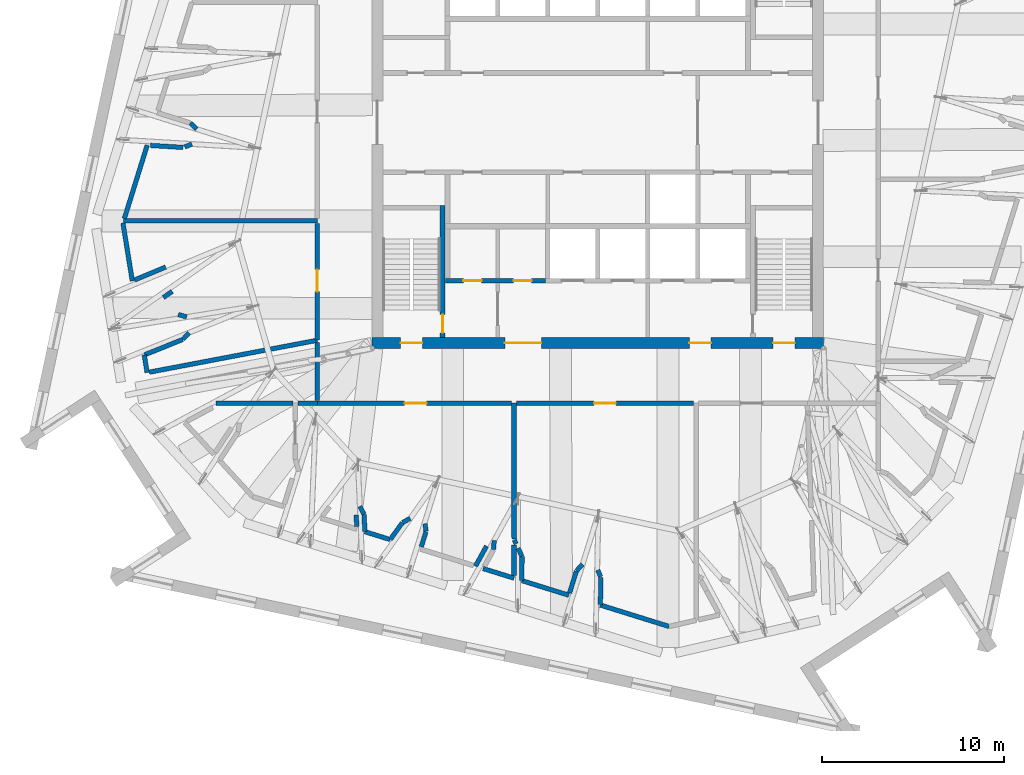
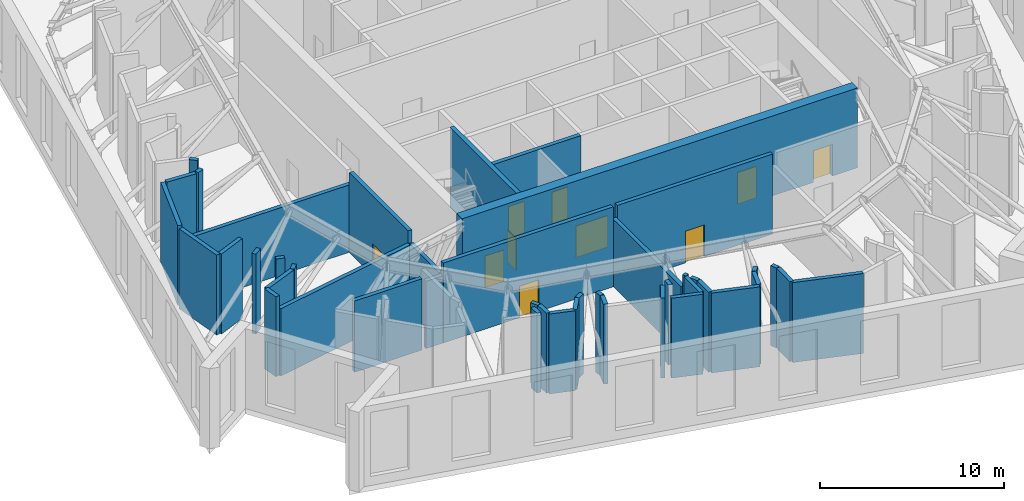
# One storey, part 7 of 19: 44 walls, 10 doors, 10 openings.
"""IFC4 building model written with IfcOpenShell, lengths in metres."""

from ifc_helpers import new_model, si_unit, direction, frame, frame_2d, origin, place, context, subcontext, project, spatial, rectangle, extrude, material, layer, layer_set, type_object, element, fill, save


model = new_model("IFC4")

# Units and contexts
model_context = context("Model", 3, precision=1e-05, world=origin(), true_north=direction((0.0, 1.0)))
body_context = subcontext(model_context, "Body", "Model", "MODEL_VIEW")
ifc_project = project(units=[si_unit("LENGTHUNIT", "METRE"), si_unit("AREAUNIT", "SQUARE_METRE"), si_unit("VOLUMEUNIT", "CUBIC_METRE"), si_unit("PLANEANGLEUNIT", "RADIAN"), si_unit("MASSUNIT", "GRAM", prefix="KILO")], contexts=[model_context])

# Site, building, storey
site_placement = place(None, origin())
site = spatial("IfcSite", under=ifc_project, at=site_placement, CompositionType="ELEMENT")
building_placement = place(site_placement, origin())
building = spatial("IfcBuilding", under=site, at=building_placement, Name="Dilmun Exchange Tower", CompositionType="ELEMENT")
storey_placement = place(building_placement, frame((0.0, 0.0, 344.5)))
storey = spatial("IfcBuildingStorey", under=building, at=storey_placement, Name="L82", CompositionType="ELEMENT", Elevation=344.5)

# Wall, openings, doors
ifc_material_1 = material(Name="Concrete C40/50", Category="concrete")
ifc_layer_1 = layer(ifc_material_1, 0.25)
ifc_layer_set_1 = layer_set([ifc_layer_1], Name="Concrete C40/50")
wall_type_1 = type_object("IfcWallType", Name="Core partition wall 250", PredefinedType="PARTITIONING", material=ifc_layer_set_1)
wall_1_placement = place(storey_placement, frame((-8.3701171875, -8.675048828125, 0.0), z_axis=(0.0, 0.0, 1.0), x_axis=(1.0, 0.0, 0.0)))
wall_1 = element("IfcWall", 1, at=wall_1_placement, inside=storey, type_object=wall_type_1, Name="L82 core partition wall 03", PredefinedType="PARTITIONING", context=body_context, shape_type="SweptSolid", body=[
    extrude(rectangle(XDim=5.490234375, YDim=0.25, at=frame_2d((2.7451171875, 0.0))), origin(), (0.0, 0.0, 1.0), 5.300048828125),
])
opening_1_placement = place(wall_1_placement, frame((0.9951171875, 0.0, 0.0)))
opening_1 = element("IfcOpeningElement", 2, at=opening_1_placement, cuts=wall_1, Name="Opening CD4", PredefinedType="OPENING", context=body_context, shape_type="SweptSolid", body=[
    extrude(rectangle(XDim=1.0, YDim=2.10009765625, at=frame_2d((0.5, 1.050048828125))), frame((0.0, 0.135009765625, 0.0), z_axis=(0.0, -1.0, 0.0), x_axis=(1.0, 0.0, 0.0)), (0.0, 0.0, 1.0), 0.27001953125),
])
opening_2_placement = place(wall_1_placement, frame((3.7451171875, 0.0, 0.0)))
opening_2 = element("IfcOpeningElement", 3, at=opening_2_placement, cuts=wall_1, Name="Opening CD4", PredefinedType="OPENING", context=body_context, shape_type="SweptSolid", body=[
    extrude(rectangle(XDim=1.0, YDim=2.10009765625, at=frame_2d((0.5, 1.050048828125))), frame((0.0, 0.135009765625, 0.0), z_axis=(0.0, -1.0, 0.0), x_axis=(1.0, 0.0, 0.0)), (0.0, 0.0, 1.0), 0.27001953125),
])
ifc_material_2 = material(Name="Fire-rated steel door set", Category="steel")
door_type_1 = type_object("IfcDoorType", Name="Core room door 1000x2100", OperationType="SINGLE_SWING_LEFT", PredefinedType="DOOR", material=ifc_material_2)
door_1_placement = place(opening_1_placement, origin())
door_1 = element("IfcDoor", 4, at=door_1_placement, inside=storey, type_object=door_type_1, Name="L82 door Male WC", OperationType="SINGLE_SWING_LEFT", OverallHeight=2.10009765625, OverallWidth=1.0, PredefinedType="DOOR", context=body_context, shape_type="SweptSolid", body=[
    extrude(rectangle(XDim=1.0, YDim=2.10009765625, at=frame_2d((0.5, 1.050048828125))), frame((0.0, 0.02490234375, 0.0), z_axis=(0.0, -1.0, 0.0), x_axis=(1.0, 0.0, 0.0)), (0.0, 0.0, 1.0), 0.050048828125),
])
fill(opening_1, door_1)
door_2_placement = place(opening_2_placement, origin())
door_2 = element("IfcDoor", 5, at=door_2_placement, inside=storey, type_object=door_type_1, Name="L82 door Female WC", OperationType="SINGLE_SWING_LEFT", OverallHeight=2.10009765625, OverallWidth=1.0, PredefinedType="DOOR", context=body_context, shape_type="SweptSolid", body=[
    extrude(rectangle(XDim=1.0, YDim=2.10009765625, at=frame_2d((0.5, 1.050048828125))), frame((0.0, 0.02490234375, 0.0), z_axis=(0.0, -1.0, 0.0), x_axis=(1.0, 0.0, 0.0)), (0.0, 0.0, 1.0), 0.050048828125),
])
fill(opening_2, door_2)

ifc_material_3 = material(Name="Concrete C50/60", Category="concrete")
ifc_layer_2 = layer(ifc_material_3, 0.60009765625)
ifc_layer_set_2 = layer_set([ifc_layer_2], Name="Concrete C50/60")
wall_type_2 = type_object("IfcWallType", Name="Core shear wall 600 Concrete C50/60", PredefinedType="SHEAR", material=ifc_layer_set_2)
wall_2_placement = place(storey_placement, frame((-12.39990234375, -12.10009765625, 0.0), z_axis=(0.0, 0.0, 1.0), x_axis=(1.0, 0.0, 0.0)))
wall_2 = element("IfcWall", 6, at=wall_2_placement, inside=storey, type_object=wall_type_2, Name="L82 core shear wall S", PredefinedType="SHEAR", context=body_context, shape_type="SweptSolid", body=[
    extrude(rectangle(XDim=24.7998046875, YDim=0.60009765625, at=frame_2d((12.39990234375, 0.0))), origin(), (0.0, 0.0, 1.0), 5.300048828125),
])
opening_3_placement = place(wall_2_placement, frame((7.300048828125, 0.0, 0.0)))
opening_3 = element("IfcOpeningElement", 7, at=opening_3_placement, cuts=wall_2, Name="Opening CD2", PredefinedType="OPENING", context=body_context, shape_type="SweptSolid", body=[
    extrude(rectangle(XDim=2.0, YDim=2.10009765625, at=frame_2d((1.0, 1.050048828125))), frame((0.0, 0.31005859375, 0.0), z_axis=(0.0, -1.0, 0.0), x_axis=(1.0, 0.0, 0.0)), (0.0, 0.0, 1.0), 0.6201171875),
])
opening_4_placement = place(wall_2_placement, frame((17.425048828125, 0.0, 0.0)))
opening_4 = element("IfcOpeningElement", 8, at=opening_4_placement, cuts=wall_2, Name="Opening CD3", PredefinedType="OPENING", context=body_context, shape_type="SweptSolid", body=[
    extrude(rectangle(XDim=1.199951171875, YDim=2.10009765625, at=frame_2d((0.60009765625, 1.050048828125))), frame((0.0, 0.31005859375, 0.0), z_axis=(0.0, -1.0, 0.0), x_axis=(1.0, 0.0, 0.0)), (0.0, 0.0, 1.0), 0.6201171875),
])
opening_5_placement = place(wall_2_placement, frame((1.574951171875, 0.0, 0.0)))
opening_5 = element("IfcOpeningElement", 9, at=opening_5_placement, cuts=wall_2, Name="Opening CD3", PredefinedType="OPENING", context=body_context, shape_type="SweptSolid", body=[
    extrude(rectangle(XDim=1.199951171875, YDim=2.10009765625, at=frame_2d((0.60009765625, 1.050048828125))), frame((0.0, 0.31005859375, 0.0), z_axis=(0.0, -1.0, 0.0), x_axis=(1.0, 0.0, 0.0)), (0.0, 0.0, 1.0), 0.6201171875),
])
opening_6_placement = place(wall_2_placement, frame((22.02490234375, 0.0, 0.0)))
opening_6 = element("IfcOpeningElement", 10, at=opening_6_placement, cuts=wall_2, Name="Opening CD3", PredefinedType="OPENING", context=body_context, shape_type="SweptSolid", body=[
    extrude(rectangle(XDim=1.199951171875, YDim=2.10009765625, at=frame_2d((0.60009765625, 1.050048828125))), frame((0.0, 0.31005859375, 0.0), z_axis=(0.0, -1.0, 0.0), x_axis=(1.0, 0.0, 0.0)), (0.0, 0.0, 1.0), 0.6201171875),
])
door_type_2 = type_object("IfcDoorType", Name="Core service door 2000x2100", OperationType="DOUBLE_DOOR_DOUBLE_SWING", PredefinedType="DOOR", material=ifc_material_2)
door_3_placement = place(opening_3_placement, origin())
door_3 = element("IfcDoor", 11, at=door_3_placement, inside=storey, type_object=door_type_2, Name="L82 door South service lobby", OperationType="SINGLE_SWING_LEFT", OverallHeight=2.10009765625, OverallWidth=2.0, PredefinedType="DOOR", context=body_context, shape_type="SweptSolid", body=[
    extrude(rectangle(XDim=2.0, YDim=2.10009765625, at=frame_2d((1.0, 1.050048828125))), frame((0.0, 0.02490234375, 0.0), z_axis=(0.0, -1.0, 0.0), x_axis=(1.0, 0.0, 0.0)), (0.0, 0.0, 1.0), 0.050048828125),
])
fill(opening_3, door_3)
door_type_3 = type_object("IfcDoorType", Name="Stair exit door 1200x2100", OperationType="SINGLE_SWING_LEFT", PredefinedType="DOOR", material=ifc_material_2)
door_4_placement = place(opening_4_placement, origin())
door_4 = element("IfcDoor", 12, at=door_4_placement, inside=storey, type_object=door_type_3, Name="L82 door Fire-fighting lobby", OperationType="SINGLE_SWING_LEFT", OverallHeight=2.10009765625, OverallWidth=1.199951171875, PredefinedType="DOOR", context=body_context, shape_type="SweptSolid", body=[
    extrude(rectangle(XDim=1.199951171875, YDim=2.10009765625, at=frame_2d((0.60009765625, 1.050048828125))), frame((0.0, 0.02490234375, 0.0), z_axis=(0.0, -1.0, 0.0), x_axis=(1.0, 0.0, 0.0)), (0.0, 0.0, 1.0), 0.050048828125),
])
fill(opening_4, door_4)
door_5_placement = place(opening_5_placement, origin())
door_5 = element("IfcDoor", 13, at=door_5_placement, inside=storey, type_object=door_type_3, Name="L82 door Stair ST2", OperationType="SINGLE_SWING_LEFT", OverallHeight=2.10009765625, OverallWidth=1.199951171875, PredefinedType="DOOR", context=body_context, shape_type="SweptSolid", body=[
    extrude(rectangle(XDim=1.199951171875, YDim=2.10009765625, at=frame_2d((0.60009765625, 1.050048828125))), frame((0.0, 0.02490234375, 0.0), z_axis=(0.0, -1.0, 0.0), x_axis=(1.0, 0.0, 0.0)), (0.0, 0.0, 1.0), 0.050048828125),
])
fill(opening_5, door_5)
door_6_placement = place(opening_6_placement, origin())
door_6 = element("IfcDoor", 14, at=door_6_placement, inside=storey, type_object=door_type_3, Name="L82 door Stair ST3", OperationType="SINGLE_SWING_LEFT", OverallHeight=2.10009765625, OverallWidth=1.199951171875, PredefinedType="DOOR", context=body_context, shape_type="SweptSolid", body=[
    extrude(rectangle(XDim=1.199951171875, YDim=2.10009765625, at=frame_2d((0.60009765625, 1.050048828125))), frame((0.0, 0.02490234375, 0.0), z_axis=(0.0, -1.0, 0.0), x_axis=(1.0, 0.0, 0.0)), (0.0, 0.0, 1.0), 0.050048828125),
])
fill(opening_6, door_6)

# Walls
ifc_material_4 = material(Name="Concrete C32/40", Category="concrete")
ifc_layer_3 = layer(ifc_material_4, 0.25)
ifc_layer_set_3 = layer_set([ifc_layer_3], Name="Concrete C32/40")
wall_type_3 = type_object("IfcWallType", Name="Plant room wall 250", PredefinedType="PARTITIONING", material=ifc_layer_set_3)
wall_3_placement = place(storey_placement, frame((0.14208984375, -26.49169921875, 0.0), z_axis=(0.0, 0.0, 1.0), x_axis=(0.954736787121, -0.297451958001, 0.0)))
element("IfcWall", 15, at=wall_3_placement, inside=storey, type_object=wall_type_3, Name="L82 plant room wall 01", PredefinedType="PARTITIONING", context=body_context, shape_type="SweptSolid", body=[
    extrude(rectangle(XDim=3.952880859375, YDim=0.25, at=frame_2d((1.9765625, 0.0))), origin(), (0.0, 0.0, 1.0), 5.300048828125),
])
wall_4_placement = place(storey_placement, frame((0.142578125, -26.4736328125, 0.0), z_axis=(0.0, 0.0, 1.0), x_axis=(0.021947529916, 0.999759123955, 0.0)))
element("IfcWall", 16, at=wall_4_placement, inside=storey, type_object=wall_type_3, Name="L82 plant room wall 05", PredefinedType="PARTITIONING", context=body_context, shape_type="SweptSolid", body=[
    extrude(rectangle(XDim=1.490478515625, YDim=0.25, at=frame_2d((0.7451171875, 0.0))), origin(), (0.0, 0.0, 1.0), 5.300048828125),
])
wall_5_placement = place(storey_placement, frame((-4.163818359375, -25.150146484375, 0.0), z_axis=(0.0, 0.0, 1.0), x_axis=(0.954746698035, -0.297420144898, 0.0)))
element("IfcWall", 17, at=wall_5_placement, inside=storey, type_object=wall_type_3, Name="L82 plant room wall 07", PredefinedType="PARTITIONING", context=body_context, shape_type="SweptSolid", body=[
    extrude(rectangle(XDim=2.69970703125, YDim=0.25, at=frame_2d((1.349853515625, 0.0))), origin(), (0.0, 0.0, 1.0), 5.300048828125),
])
wall_6_placement = place(storey_placement, frame((-4.16357421875, -25.133056640625, 0.0), z_axis=(0.0, 0.0, 1.0), x_axis=(0.003016577527, 0.99999545012, 0.0)))
element("IfcWall", 18, at=wall_6_placement, inside=storey, type_object=wall_type_3, Name="L82 plant room wall 12", PredefinedType="PARTITIONING", context=body_context, shape_type="SweptSolid", body=[
    extrude(rectangle(XDim=1.294921875, YDim=0.25, at=frame_2d((0.6474609375, 0.0))), origin(), (0.0, 0.0, 1.0), 5.300048828125),
])
wall_7_placement = place(storey_placement, frame((-6.29248046875, -24.48681640625, 0.0), z_axis=(0.0, 0.0, 1.0), x_axis=(0.95472472201, -0.297490680834, 0.0)))
element("IfcWall", 19, at=wall_7_placement, inside=storey, type_object=wall_type_3, Name="L82 plant room wall 13", PredefinedType="PARTITIONING", context=body_context, shape_type="SweptSolid", body=[
    extrude(rectangle(XDim=1.772705078125, YDim=0.25, at=frame_2d((0.88623046875, 0.0))), origin(), (0.0, 0.0, 1.0), 5.300048828125),
])
wall_8_placement = place(storey_placement, frame((-0.00244140625, -24.57177734375, 0.0), z_axis=(0.0, 0.0, 1.0), x_axis=(0.40251378432, -0.915413924644, 0.0)))
element("IfcWall", 20, at=wall_8_placement, inside=storey, type_object=wall_type_3, Name="L82 plant room wall 14", PredefinedType="PARTITIONING", context=body_context, shape_type="SweptSolid", body=[
    extrude(rectangle(XDim=0.400390625, YDim=0.25, at=frame_2d((0.2001953125, 0.0))), origin(), (0.0, 0.0, 1.0), 5.300048828125),
])
wall_9_placement = place(storey_placement, frame((-1.54736328125, -25.8291015625, 0.0), z_axis=(0.0, 0.0, 1.0), x_axis=(0.297386573169, 0.954757155563, 0.0)))
element("IfcWall", 21, at=wall_9_placement, inside=storey, type_object=wall_type_3, Name="L82 plant room wall 16", PredefinedType="PARTITIONING", context=body_context, shape_type="SweptSolid", body=[
    extrude(rectangle(XDim=1.251953125, YDim=0.25, at=frame_2d((0.6259765625, 0.0))), origin(), (0.0, 0.0, 1.0), 5.300048828125),
])
for number, where, z_axis, x_axis, name in (
    (22, (-1.160400390625, -24.608154296875, 0.0), (0.0, 0.0, 1.0), (0.673275475331, 0.739391732654, 0.0), "L82 plant room wall 20"),
    (23, (-4.368896484375, -23.370361328125, 0.0), (0.0, 0.0, 1.0), (0.419538351175, -0.907737611809, 0.0), "L82 plant room wall 21"),
):
    element("IfcWall", number, at=place(storey_placement, frame(where, z_axis=z_axis, x_axis=x_axis)), inside=storey, type_object=wall_type_3, Name=name, PredefinedType="PARTITIONING", context=body_context, shape_type="SweptSolid", body=[
        extrude(rectangle(XDim=0.483642578125, YDim=0.25, at=frame_2d((0.24169921875, 0.0))), origin(), (0.0, 0.0, 1.0), 5.300048828125),
    ])
wall_10_placement = place(storey_placement, frame((-5.719482421875, -23.433837890625, 0.0), z_axis=(0.0, 0.0, 1.0), x_axis=(0.067155745514, 0.99774250478, 0.0)))
element("IfcWall", 24, at=wall_10_placement, inside=storey, type_object=wall_type_3, Name="L82 plant room wall 22", PredefinedType="PARTITIONING", context=body_context, shape_type="SweptSolid", body=[
    extrude(rectangle(XDim=0.4833984375, YDim=0.25, at=frame_2d((0.24169921875, 0.0))), origin(), (0.0, 0.0, 1.0), 5.300048828125),
])
wall_11_placement = place(storey_placement, frame((-9.689697265625, -23.2919921875, 0.0), z_axis=(0.0, 0.0, 1.0), x_axis=(0.297488902776, 0.954725276048, 0.0)))
element("IfcWall", 25, at=wall_11_placement, inside=storey, type_object=wall_type_3, Name="L82 plant room wall 23", PredefinedType="PARTITIONING", context=body_context, shape_type="SweptSolid", body=[
    extrude(rectangle(XDim=0.86669921875, YDim=0.25, at=frame_2d((0.433349609375, 0.0))), origin(), (0.0, 0.0, 1.0), 5.300048828125),
])
wall_12_placement = place(storey_placement, frame((-4.580322265625, -22.91357421875, 0.0), z_axis=(0.0, 0.0, 1.0), x_axis=(0.420542791292, -0.907272704699, 0.0)))
element("IfcWall", 26, at=wall_12_placement, inside=storey, type_object=wall_type_3, Name="L82 plant room wall 24", PredefinedType="PARTITIONING", context=body_context, shape_type="SweptSolid", body=[
    extrude(rectangle(XDim=0.23974609375, YDim=0.25, at=frame_2d((0.119873046875, 0.0))), origin(), (0.0, 0.0, 1.0), 5.300048828125),
])
wall_13_placement = place(storey_placement, frame((-6.71435546875, -24.35546875, 0.0), z_axis=(0.0, 0.0, 1.0), x_axis=(0.482477192193, 0.875908533475, 0.0)))
element("IfcWall", 27, at=wall_13_placement, inside=storey, type_object=wall_type_3, Name="L82 plant room wall 25", PredefinedType="PARTITIONING", context=body_context, shape_type="SweptSolid", body=[
    extrude(rectangle(XDim=1.258544921875, YDim=0.25, at=frame_2d((0.62939453125, 0.0))), origin(), (0.0, 0.0, 1.0), 5.300048828125),
])
wall_14_placement = place(storey_placement, frame((-12.789306640625, -22.46240234375, 0.0), z_axis=(0.0, 0.0, 1.0), x_axis=(0.954738594282, -0.297446157462, 0.0)))
element("IfcWall", 28, at=wall_14_placement, inside=storey, type_object=wall_type_3, Name="L82 plant room wall 26", PredefinedType="PARTITIONING", context=body_context, shape_type="SweptSolid", body=[
    extrude(rectangle(XDim=1.45947265625, YDim=0.25, at=frame_2d((0.729736328125, 0.0))), origin(), (0.0, 0.0, 1.0), 5.300048828125),
])
wall_15_placement = place(storey_placement, frame((-4.60009765625, -15.39990234375, 0.0), z_axis=(0.0, 0.0, 1.0), x_axis=(0.000392105577, -0.999999923127, 0.0)))
element("IfcWall", 29, at=wall_15_placement, inside=storey, type_object=wall_type_3, Name="L82 plant room wall 27", PredefinedType="PARTITIONING", context=body_context, shape_type="SweptSolid", body=[
    extrude(rectangle(XDim=7.4716796875, YDim=0.25, at=frame_2d((3.73583984375, 0.0))), origin(), (0.0, 0.0, 1.0), 4.466064453125),
])
wall_16_placement = place(storey_placement, frame((-12.829345703125, -21.5302734375, 0.0), z_axis=(0.0, 0.0, 1.0), x_axis=(0.043079480176, -0.999071648275, 0.0)))
element("IfcWall", 30, at=wall_16_placement, inside=storey, type_object=wall_type_3, Name="L82 plant room wall 28", PredefinedType="PARTITIONING", context=body_context, shape_type="SweptSolid", body=[
    extrude(rectangle(XDim=0.91796875, YDim=0.25, at=frame_2d((0.458984375, 0.0))), origin(), (0.0, 0.0, 1.0), 5.300048828125),
])
wall_17_placement = place(storey_placement, frame((-9.485107421875, -22.02197265625, 0.0), z_axis=(0.0, 0.0, 1.0), x_axis=(0.133964477451, -0.990986134505, 0.0)))
element("IfcWall", 31, at=wall_17_placement, inside=storey, type_object=wall_type_3, Name="L82 plant room wall 29", PredefinedType="PARTITIONING", context=body_context, shape_type="SweptSolid", body=[
    extrude(rectangle(XDim=0.417236328125, YDim=0.25, at=frame_2d((0.20849609375, 0.0))), origin(), (0.0, 0.0, 1.0), 5.300048828125),
])
wall_18_placement = place(storey_placement, frame((-11.38671875, -22.883544921875, 0.0), z_axis=(0.0, 0.0, 1.0), x_axis=(0.583176927321, 0.812345167672, 0.0)))
element("IfcWall", 32, at=wall_18_placement, inside=storey, type_object=wall_type_3, Name="L82 plant room wall 31", PredefinedType="PARTITIONING", context=body_context, shape_type="SweptSolid", body=[
    extrude(rectangle(XDim=1.10693359375, YDim=0.25, at=frame_2d((0.553466796875, 0.0))), origin(), (0.0, 0.0, 1.0), 5.300048828125),
])
wall_19_placement = place(storey_placement, frame((-10.719482421875, -21.96484375, 0.0), z_axis=(0.0, 0.0, 1.0), x_axis=(0.871669877162, 0.490093486233, 0.0)))
element("IfcWall", 33, at=wall_19_placement, inside=storey, type_object=wall_type_3, Name="L82 plant room wall 33", PredefinedType="PARTITIONING", context=body_context, shape_type="SweptSolid", body=[
    extrude(rectangle(XDim=0.483642578125, YDim=0.25, at=frame_2d((0.24169921875, 0.0))), origin(), (0.0, 0.0, 1.0), 5.300048828125),
])
wall_20_placement = place(storey_placement, frame((-13.261962890625, -21.548828125, 0.0), z_axis=(0.0, 0.0, 1.0), x_axis=(0.042790598486, -0.99908406287, 0.0)))
element("IfcWall", 34, at=wall_20_placement, inside=storey, type_object=wall_type_3, Name="L82 plant room wall 35", PredefinedType="PARTITIONING", context=body_context, shape_type="SweptSolid", body=[
    extrude(rectangle(XDim=0.638916015625, YDim=0.25, at=frame_2d((0.3193359375, 0.0))), origin(), (0.0, 0.0, 1.0), 5.300048828125),
])
wall_21_placement = place(storey_placement, frame((-13.059814453125, -21.07275390625, 0.0), z_axis=(0.0, 0.0, 1.0), x_axis=(0.460891733054, -0.887456370985, 0.0)))
element("IfcWall", 35, at=wall_21_placement, inside=storey, type_object=wall_type_3, Name="L82 plant room wall 36", PredefinedType="PARTITIONING", context=body_context, shape_type="SweptSolid", body=[
    extrude(rectangle(XDim=0.483642578125, YDim=0.25, at=frame_2d((0.24169921875, 0.0))), origin(), (0.0, 0.0, 1.0), 5.300048828125),
])
wall_22_placement = place(storey_placement, frame((-20.95556640625, -15.39990234375, 0.0), z_axis=(0.0, 0.0, 1.0), x_axis=(1.0, 0.0, 0.0)))
element("IfcWall", 36, at=wall_22_placement, inside=storey, type_object=wall_type_3, Name="L82 plant room wall 55", PredefinedType="PARTITIONING", context=body_context, shape_type="SweptSolid", body=[
    extrude(rectangle(XDim=4.2255859375, YDim=0.25, at=frame_2d((2.11279296875, 0.0))), origin(), (0.0, 0.0, 1.0), 4.72998046875),
])
wall_23_placement = place(storey_placement, frame((-16.469970703125, -15.39990234375, 0.0), z_axis=(0.0, 0.0, 1.0), x_axis=(1.0, 0.0, 0.0)))
element("IfcWall", 37, at=wall_23_placement, inside=storey, type_object=wall_type_3, Name="L82 plant room wall 56", PredefinedType="PARTITIONING", context=body_context, shape_type="SweptSolid", body=[
    extrude(rectangle(XDim=1.070068359375, YDim=0.25, at=frame_2d((0.53515625, 0.0))), origin(), (0.0, 0.0, 1.0), 4.466064453125),
])

# Wall, opening, door
wall_24_placement = place(storey_placement, frame((-15.39501953125, -15.39990234375, 0.0), z_axis=(0.0, 0.0, 1.0), x_axis=(1.0, 0.0, 0.0)))
wall_24 = element("IfcWall", 38, at=wall_24_placement, inside=storey, type_object=wall_type_3, Name="L82 plant room wall 57", PredefinedType="PARTITIONING", context=body_context, shape_type="SweptSolid", body=[
    extrude(rectangle(XDim=10.6650390625, YDim=0.25, at=frame_2d((5.33251953125, 0.0))), origin(), (0.0, 0.0, 1.0), 5.300048828125),
])
opening_7_placement = place(wall_24_placement, frame((4.794921875, 0.0, 0.0)))
opening_7 = element("IfcOpeningElement", 39, at=opening_7_placement, cuts=wall_24, Name="Opening PD2", PredefinedType="OPENING", context=body_context, shape_type="SweptSolid", body=[
    extrude(rectangle(XDim=1.199951171875, YDim=2.10009765625, at=frame_2d((0.60009765625, 1.050048828125))), frame((0.0, 0.135009765625, 0.0), z_axis=(0.0, -1.0, 0.0), x_axis=(1.0, 0.0, 0.0)), (0.0, 0.0, 1.0), 0.27001953125),
])
door_type_4 = type_object("IfcDoorType", Name="Plant room door 1200x2100", OperationType="SINGLE_SWING_LEFT", PredefinedType="DOOR", material=ifc_material_2)
door_7_placement = place(opening_7_placement, origin())
door_7 = element("IfcDoor", 40, at=door_7_placement, inside=storey, type_object=door_type_4, Name="L82 door Refuge area", OperationType="SINGLE_SWING_LEFT", OverallHeight=2.10009765625, OverallWidth=1.199951171875, PredefinedType="DOOR", context=body_context, shape_type="SweptSolid", body=[
    extrude(rectangle(XDim=1.199951171875, YDim=2.10009765625, at=frame_2d((0.60009765625, 1.050048828125))), frame((0.0, 0.02490234375, 0.0), z_axis=(0.0, -1.0, 0.0), x_axis=(1.0, 0.0, 0.0)), (0.0, 0.0, 1.0), 0.050048828125),
])
fill(opening_7, door_7)

# Wall
wall_25_placement = place(storey_placement, frame((-4.60009765625, -24.8779296875, 0.0), z_axis=(0.0, 0.0, 1.0), x_axis=(0.0, 1.0, 0.0)))
element("IfcWall", 41, at=wall_25_placement, inside=storey, type_object=wall_type_3, Name="L82 plant room wall 58", PredefinedType="PARTITIONING", context=body_context, shape_type="SweptSolid", body=[
    extrude(rectangle(XDim=1.697265625, YDim=0.25, at=frame_2d((0.8486328125, 0.0))), origin(), (0.0, 0.0, 1.0), 5.300048828125),
])

# Wall, opening, door
wall_26_placement = place(storey_placement, frame((-4.469970703125, -15.39990234375, 0.0), z_axis=(0.0, 0.0, 1.0), x_axis=(1.0, 0.0, 0.0)))
wall_26 = element("IfcWall", 42, at=wall_26_placement, inside=storey, type_object=wall_type_3, Name="L82 plant room wall 59", PredefinedType="PARTITIONING", context=body_context, shape_type="SweptSolid", body=[
    extrude(rectangle(XDim=9.739990234375, YDim=0.25, at=frame_2d((4.8701171875, 0.0))), origin(), (0.0, 0.0, 1.0), 5.300048828125),
])
opening_8_placement = place(wall_26_placement, frame((4.27001953125, 0.0, 0.0)))
opening_8 = element("IfcOpeningElement", 43, at=opening_8_placement, cuts=wall_26, Name="Opening PD2", PredefinedType="OPENING", context=body_context, shape_type="SweptSolid", body=[
    extrude(rectangle(XDim=1.199951171875, YDim=2.10009765625, at=frame_2d((0.60009765625, 1.050048828125))), frame((0.0, 0.135009765625, 0.0), z_axis=(0.0, -1.0, 0.0), x_axis=(1.0, 0.0, 0.0)), (0.0, 0.0, 1.0), 0.27001953125),
])
door_8_placement = place(opening_8_placement, origin())
door_8 = element("IfcDoor", 44, at=door_8_placement, inside=storey, type_object=door_type_4, Name="L82 door Mechanical pump room", OperationType="SINGLE_SWING_RIGHT", OverallHeight=2.10009765625, OverallWidth=1.199951171875, PredefinedType="DOOR", context=body_context, shape_type="SweptSolid", body=[
    extrude(rectangle(XDim=1.199951171875, YDim=2.10009765625, at=frame_2d((0.60009765625, 1.050048828125))), frame((0.0, 0.02490234375, 0.0), z_axis=(0.0, -1.0, 0.0), x_axis=(1.0, 0.0, 0.0)), (0.0, 0.0, 1.0), 0.050048828125),
])
fill(opening_8, door_8)

# Walls
wall_27_placement = place(storey_placement, frame((-24.901611328125, -12.758056640625, 0.0), z_axis=(0.0, 0.0, 1.0), x_axis=(0.159396618474, -0.987214626117, 0.0)))
element("IfcWall", 45, at=wall_27_placement, inside=storey, type_object=wall_type_3, Name="L82 plant room wall 67", PredefinedType="PARTITIONING", context=body_context, shape_type="SweptSolid", body=[
    extrude(rectangle(XDim=0.981689453125, YDim=0.25, at=frame_2d((0.49072265625, 0.0))), origin(), (0.0, 0.0, 1.0), 5.300048828125),
])
wall_28_placement = place(storey_placement, frame((-24.880615234375, -12.74951171875, 0.0), z_axis=(0.0, 0.0, 1.0), x_axis=(0.927757135896, 0.373184534505, 0.0)))
element("IfcWall", 46, at=wall_28_placement, inside=storey, type_object=wall_type_3, Name="L82 plant room wall 71", PredefinedType="PARTITIONING", context=body_context, shape_type="SweptSolid", body=[
    extrude(rectangle(XDim=2.251708984375, YDim=0.25, at=frame_2d((1.1259765625, 0.0))), origin(), (0.0, 0.0, 1.0), 5.300048828125),
])
wall_29_placement = place(storey_placement, frame((-24.617431640625, -13.703125, 0.0), z_axis=(0.0, 0.0, 1.0), x_axis=(0.982426598923, 0.186649344301, 0.0)))
element("IfcWall", 47, at=wall_29_placement, inside=storey, type_object=wall_type_3, Name="L82 plant room wall 72", PredefinedType="PARTITIONING", context=body_context, shape_type="SweptSolid", body=[
    extrude(rectangle(XDim=9.38232421875, YDim=0.25, at=frame_2d((4.691162109375, 0.0))), origin(), (0.0, 0.0, 1.0), 4.466064453125),
])
wall_30_placement = place(storey_placement, frame((-15.39990234375, -15.27001953125, 0.0), z_axis=(0.0, 0.0, 1.0), x_axis=(0.0, 1.0, 0.0)))
element("IfcWall", 48, at=wall_30_placement, inside=storey, type_object=wall_type_3, Name="L82 plant room wall 73", PredefinedType="PARTITIONING", context=body_context, shape_type="SweptSolid", body=[
    extrude(rectangle(XDim=3.185546875, YDim=0.25, at=frame_2d((1.5927734375, 0.0))), origin(), (0.0, 0.0, 1.0), 4.56005859375),
])
wall_31_placement = place(storey_placement, frame((-22.767578125, -11.892578125, 0.0), z_axis=(0.0, 0.0, 1.0), x_axis=(0.683252613889, 0.730182077029, 0.0)))
element("IfcWall", 49, at=wall_31_placement, inside=storey, type_object=wall_type_3, Name="L82 plant room wall 74", PredefinedType="PARTITIONING", context=body_context, shape_type="SweptSolid", body=[
    extrude(rectangle(XDim=0.48388671875, YDim=0.25, at=frame_2d((0.241943359375, 0.0))), origin(), (0.0, 0.0, 1.0), 5.300048828125),
])
wall_32_placement = place(storey_placement, frame((-23.03271484375, -10.538818359375, 0.0), z_axis=(0.0, 0.0, 1.0), x_axis=(0.961998655506, -0.273054182911, 0.0)))
element("IfcWall", 50, at=wall_32_placement, inside=storey, type_object=wall_type_3, Name="L82 plant room wall 75", PredefinedType="PARTITIONING", context=body_context, shape_type="SweptSolid", body=[
    extrude(rectangle(XDim=0.483642578125, YDim=0.25, at=frame_2d((0.24169921875, 0.0))), origin(), (0.0, 0.0, 1.0), 5.300048828125),
])
wall_33_placement = place(storey_placement, frame((-23.854736328125, -9.605224609375, 0.0), z_axis=(0.0, 0.0, 1.0), x_axis=(0.822355310526, 0.568974290499, 0.0)))
element("IfcWall", 51, at=wall_33_placement, inside=storey, type_object=wall_type_3, Name="L82 plant room wall 78", PredefinedType="PARTITIONING", context=body_context, shape_type="SweptSolid", body=[
    extrude(rectangle(XDim=0.592529296875, YDim=0.25, at=frame_2d((0.29638671875, 0.0))), origin(), (0.0, 0.0, 1.0), 5.300048828125),
])
wall_34_placement = place(storey_placement, frame((-26.07080078125, -5.515380859375, 0.0), z_axis=(0.0, 0.0, 1.0), x_axis=(0.159306339917, -0.987229198344, 0.0)))
element("IfcWall", 52, at=wall_34_placement, inside=storey, type_object=wall_type_3, Name="L82 plant room wall 80", PredefinedType="PARTITIONING", context=body_context, shape_type="SweptSolid", body=[
    extrude(rectangle(XDim=3.2197265625, YDim=0.25, at=frame_2d((1.60986328125, 0.0))), origin(), (0.0, 0.0, 1.0), 5.300048828125),
])
wall_35_placement = place(storey_placement, frame((-25.434326171875, -8.642822265625, 0.0), z_axis=(0.0, 0.0, 1.0), x_axis=(0.923198131706, 0.3843243547, 0.0)))
element("IfcWall", 53, at=wall_35_placement, inside=storey, type_object=wall_type_3, Name="L82 plant room wall 81", PredefinedType="PARTITIONING", context=body_context, shape_type="SweptSolid", body=[
    extrude(rectangle(XDim=1.8466796875, YDim=0.25, at=frame_2d((0.92333984375, 0.0))), origin(), (0.0, 0.0, 1.0), 5.300048828125),
])
wall_36_placement = place(storey_placement, frame((-26.034912109375, -5.39990234375, 0.0), z_axis=(0.0, 0.0, 1.0), x_axis=(1.0, 0.0, 0.0)))
element("IfcWall", 54, at=wall_36_placement, inside=storey, type_object=wall_type_3, Name="L82 plant room wall 83", PredefinedType="PARTITIONING", context=body_context, shape_type="SweptSolid", body=[
    extrude(rectangle(XDim=10.635009765625, YDim=0.25, at=frame_2d((5.3173828125, 0.0))), origin(), (0.0, 0.0, 1.0), 4.466064453125),
])

# Wall, opening, door
wall_37_placement = place(storey_placement, frame((-15.39990234375, -11.92529296875, 0.0), z_axis=(0.0, 0.0, 1.0), x_axis=(0.0, 1.0, 0.0)))
wall_37 = element("IfcWall", 55, at=wall_37_placement, inside=storey, type_object=wall_type_3, Name="L82 plant room wall 84", PredefinedType="PARTITIONING", context=body_context, shape_type="SweptSolid", body=[
    extrude(rectangle(XDim=6.395263671875, YDim=0.25, at=frame_2d((3.19775390625, 0.0))), origin(), (0.0, 0.0, 1.0), 5.300048828125),
])
opening_9_placement = place(wall_37_placement, frame((2.64892578125, 0.0, 0.0)))
opening_9 = element("IfcOpeningElement", 56, at=opening_9_placement, cuts=wall_37, Name="Opening PD2", PredefinedType="OPENING", context=body_context, shape_type="SweptSolid", body=[
    extrude(rectangle(XDim=1.199951171875, YDim=2.10009765625, at=frame_2d((0.60009765625, 1.050048828125))), frame((0.0, 0.135009765625, 0.0), z_axis=(0.0, -1.0, 0.0), x_axis=(1.0, 0.0, 0.0)), (0.0, 0.0, 1.0), 0.27001953125),
])
door_9_placement = place(opening_9_placement, origin())
door_9 = element("IfcDoor", 57, at=door_9_placement, inside=storey, type_object=door_type_4, Name="L82 door Plant control room", OperationType="SINGLE_SWING_RIGHT", OverallHeight=2.10009765625, OverallWidth=1.199951171875, PredefinedType="DOOR", context=body_context, shape_type="SweptSolid", body=[
    extrude(rectangle(XDim=1.199951171875, YDim=2.10009765625, at=frame_2d((0.60009765625, 1.050048828125))), frame((0.0, 0.02490234375, 0.0), z_axis=(0.0, -1.0, 0.0), x_axis=(1.0, 0.0, 0.0)), (0.0, 0.0, 1.0), 0.050048828125),
])
fill(opening_9, door_9)

# Walls
wall_38_placement = place(storey_placement, frame((-22.675048828125, -1.335205078125, 0.0), z_axis=(0.0, 0.0, 1.0), x_axis=(0.930306402857, 0.366783310421, 0.0)))
element("IfcWall", 58, at=wall_38_placement, inside=storey, type_object=wall_type_3, Name="L82 plant room wall 91", PredefinedType="PARTITIONING", context=body_context, shape_type="SweptSolid", body=[
    extrude(rectangle(XDim=0.420654296875, YDim=0.25, at=frame_2d((0.21044921875, 0.0))), origin(), (0.0, 0.0, 1.0), 5.300048828125),
])
wall_39_placement = place(storey_placement, frame((-24.558349609375, -1.253662109375, 0.0), z_axis=(0.0, 0.0, 1.0), x_axis=(0.998158301025, -0.060663053781, 0.0)))
element("IfcWall", 59, at=wall_39_placement, inside=storey, type_object=wall_type_3, Name="L82 plant room wall 92", PredefinedType="PARTITIONING", context=body_context, shape_type="SweptSolid", body=[
    extrude(rectangle(XDim=1.799072265625, YDim=0.25, at=frame_2d((0.8994140625, 0.0))), origin(), (0.0, 0.0, 1.0), 5.300048828125),
])
wall_40_placement = place(storey_placement, frame((-25.994384765625, -5.27001953125, 0.0), z_axis=(0.0, 0.0, 1.0), x_axis=(0.297483983817, 0.954726808764, 0.0)))
element("IfcWall", 60, at=wall_40_placement, inside=storey, type_object=wall_type_3, Name="L82 plant room wall 93", PredefinedType="PARTITIONING", context=body_context, shape_type="SweptSolid", body=[
    extrude(rectangle(XDim=4.21826171875, YDim=0.25, at=frame_2d((2.109130859375, 0.0))), origin(), (0.0, 0.0, 1.0), 5.300048828125),
])
wall_41_placement = place(storey_placement, frame((-22.371337890625, -0.0283203125, 0.0), z_axis=(0.0, 0.0, 1.0), x_axis=(0.739391732654, -0.673275475331, 0.0)))
element("IfcWall", 61, at=wall_41_placement, inside=storey, type_object=wall_type_3, Name="L82 plant room wall 95", PredefinedType="PARTITIONING", context=body_context, shape_type="SweptSolid", body=[
    extrude(rectangle(XDim=0.483642578125, YDim=0.25, at=frame_2d((0.24169921875, 0.0))), origin(), (0.0, 0.0, 1.0), 5.300048828125),
])

# Wall, opening, door
ifc_layer_4 = layer(ifc_material_1, 0.27490234375)
ifc_layer_set_4 = layer_set([ifc_layer_4], Name="Concrete C40/50")
wall_type_4 = type_object("IfcWallType", Name="Stair wall 275", PredefinedType="SOLIDWALL", material=ifc_layer_set_4)
wall_42_placement = place(storey_placement, frame((-8.512451171875, -4.550048828125, 0.0), z_axis=(0.0, 0.0, 1.0), x_axis=(0.0, -1.0, 0.0)))
wall_42 = element("IfcWall", 62, at=wall_42_placement, inside=storey, type_object=wall_type_4, Name="L82 ST2 wall to lift block", PredefinedType="SOLIDWALL", context=body_context, shape_type="SweptSolid", body=[
    extrude(rectangle(XDim=7.25, YDim=0.27490234375, at=frame_2d((3.625, 0.0))), origin(), (0.0, 0.0, 1.0), 5.300048828125),
])
opening_10_placement = place(wall_42_placement, frame((6.0, 0.0, 0.0)))
opening_10 = element("IfcOpeningElement", 63, at=opening_10_placement, cuts=wall_42, Name="Opening CD4", PredefinedType="OPENING", context=body_context, shape_type="SweptSolid", body=[
    extrude(rectangle(XDim=1.0, YDim=2.10009765625, at=frame_2d((0.5, 1.050048828125))), frame((0.0, 0.1474609375, 0.0), z_axis=(0.0, -1.0, 0.0), x_axis=(1.0, 0.0, 0.0)), (0.0, 0.0, 1.0), 0.294921875),
])
door_10_placement = place(opening_10_placement, origin())
door_10 = element("IfcDoor", 64, at=door_10_placement, inside=storey, type_object=door_type_1, Name="L82 door ST2 from lobby", OperationType="SINGLE_SWING_LEFT", OverallHeight=2.10009765625, OverallWidth=1.0, PredefinedType="DOOR", context=body_context, shape_type="SweptSolid", body=[
    extrude(rectangle(XDim=1.0, YDim=2.10009765625, at=frame_2d((0.5, 1.050048828125))), frame((0.0, 0.02490234375, 0.0), z_axis=(0.0, -1.0, 0.0), x_axis=(1.0, 0.0, 0.0)), (0.0, 0.0, 1.0), 0.050048828125),
])
fill(opening_10, door_10)

save(model, "model.ifc")
